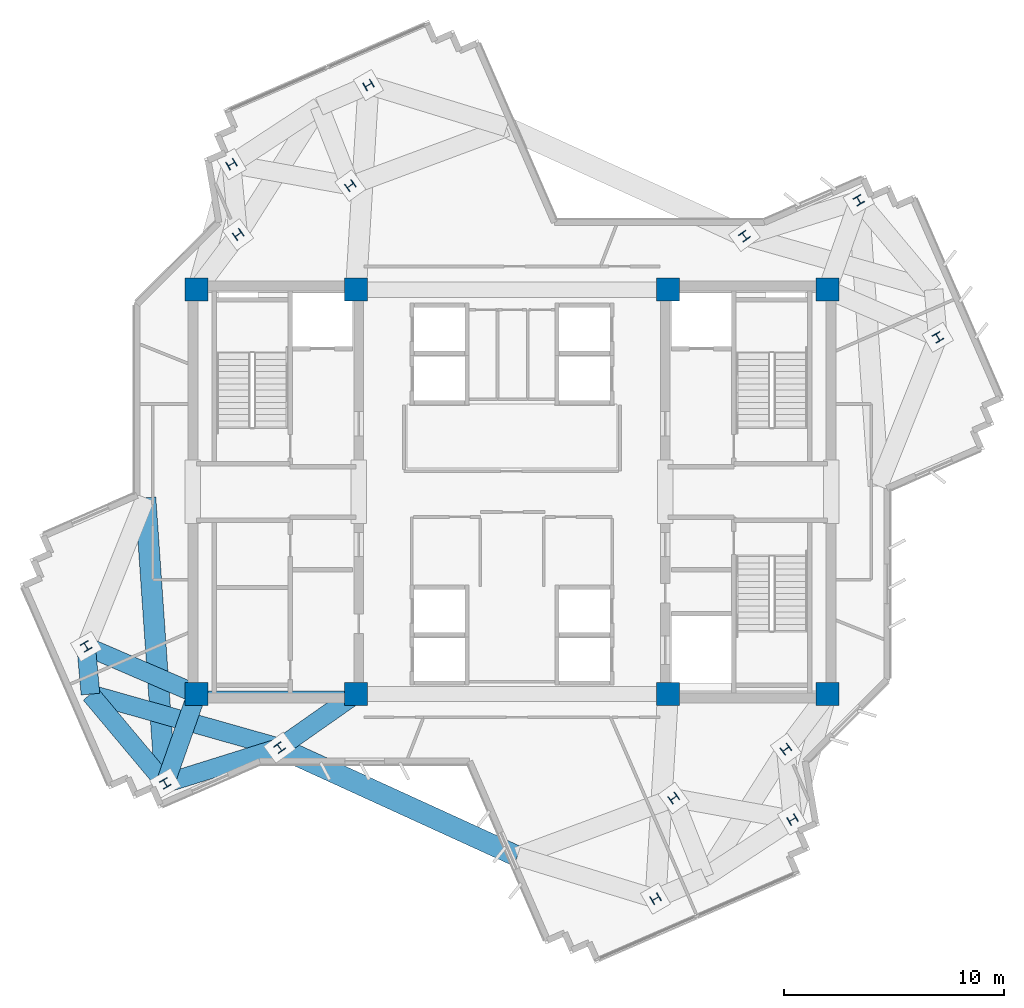
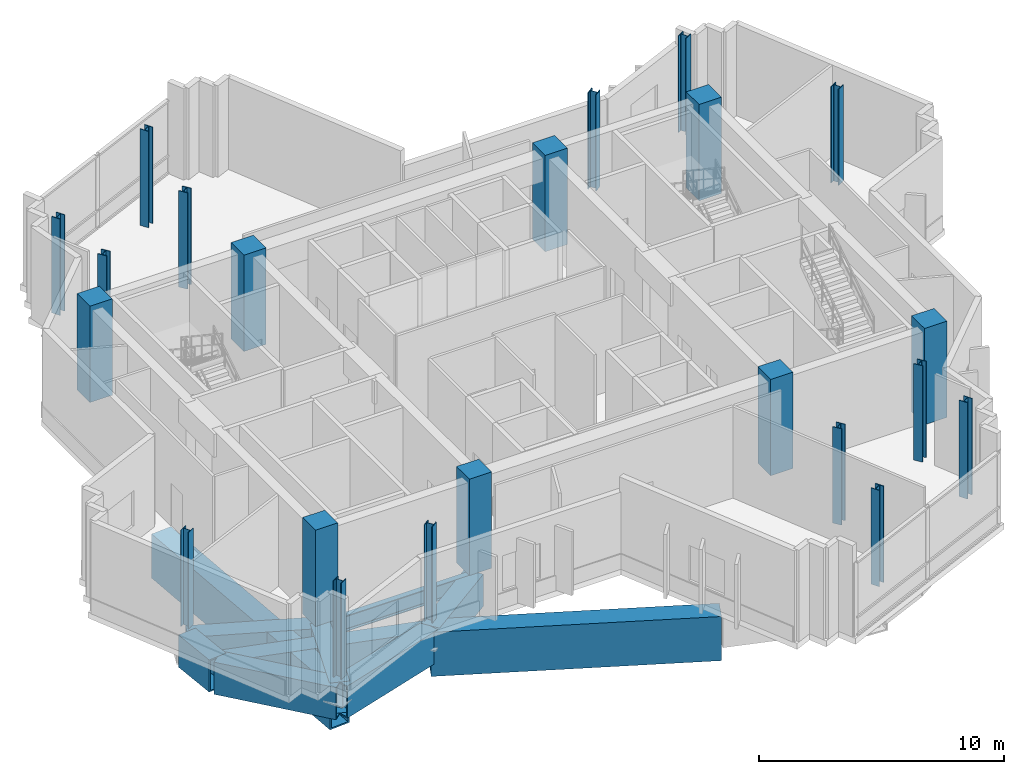
# One storey, part 1 of 11: 22 columns, 10 beams.
"""IFC4 building model written with IfcOpenShell, lengths in metres."""

from ifc_helpers import new_model, si_unit, direction, frame, origin, origin_2d, place, context, subcontext, project, spatial, rectangle, hollow_rectangle, i_section, extrude, source, transform, mapped, material, material_profile, profile_set, type_object, element, save


model = new_model("IFC4")

# Units and contexts
model_context = context("Model", 3, precision=1e-05, world=origin(), true_north=direction((0.0, 1.0)))
body_context = subcontext(model_context, "Body", "Model", "MODEL_VIEW")
ifc_project = project(units=[si_unit("LENGTHUNIT", "METRE"), si_unit("AREAUNIT", "SQUARE_METRE"), si_unit("VOLUMEUNIT", "CUBIC_METRE"), si_unit("PLANEANGLEUNIT", "RADIAN"), si_unit("MASSUNIT", "GRAM", prefix="KILO")], contexts=[model_context])

# Site, building, storey
site_placement = place(None, origin())
site = spatial("IfcSite", under=ifc_project, at=site_placement, CompositionType="ELEMENT")
building_placement = place(site_placement, origin())
building = spatial("IfcBuilding", under=site, at=building_placement, Name="Zahravan Cultural Tower", CompositionType="ELEMENT")
storey_placement = place(building_placement, frame((0.0, 0.0, 234.300048828125)))
storey = spatial("IfcBuildingStorey", under=building, at=storey_placement, Name="L55", CompositionType="ELEMENT", Elevation=234.300048828125)

# Columns
ifc_material_1 = material(Name="Concrete C50/60", Category="concrete")
ifc_material_profile_1 = material_profile(ifc_material_1, rectangle(XDim=1.050048828125, YDim=1.050048828125, at=origin_2d()), Name="RC1050X1050")
ifc_profile_set_1 = profile_set([ifc_material_profile_1], Name="Concrete C50/60")
column_type_1 = type_object("IfcColumnType", Name="COL-RC1050", PredefinedType="COLUMN", material=ifc_profile_set_1)
shared_shape_1 = source(origin(), body_context, "Body", "SweptSolid", [
    extrude(rectangle(XDim=1.050048828125, YDim=1.050048828125, at=origin_2d()), origin(), (0.0, 0.0, 1.0), 4.800048828125),
])
for number, where, z_axis, x_axis, name in (
    (1, (21.64990234375, 17.800048828125, 0.0), (0.0, 0.0, 1.0), (1.0, 0.0, 0.0), "L55 Column CC-W1"),
    (2, (28.89990234375, 17.800048828125, 0.0), (0.0, 0.0, 1.0), (1.0, 0.0, 0.0), "L55 Column CC-W2"),
    (3, (21.64990234375, 36.199951171875, 0.0), (0.0, 0.0, 1.0), (1.0, 0.0, 0.0), "L55 Column CC-W3"),
    (4, (28.89990234375, 36.199951171875, 0.0), (0.0, 0.0, 1.0), (1.0, 0.0, 0.0), "L55 Column CC-W4"),
    (5, (43.10009765625, 17.800048828125, 0.0), (0.0, 0.0, 1.0), (1.0, 0.0, 0.0), "L55 Column CC-E1"),
    (6, (50.35009765625, 17.800048828125, 0.0), (0.0, 0.0, 1.0), (1.0, 0.0, 0.0), "L55 Column CC-E2"),
    (7, (43.10009765625, 36.199951171875, 0.0), (0.0, 0.0, 1.0), (1.0, 0.0, 0.0), "L55 Column CC-E3"),
    (8, (50.35009765625, 36.199951171875, 0.0), (0.0, 0.0, 1.0), (1.0, 0.0, 0.0), "L55 Column CC-E4"),
):
    element("IfcColumn", number, at=place(storey_placement, frame(where, z_axis=z_axis, x_axis=x_axis)), inside=storey, type_object=column_type_1, Name=name, PredefinedType="COLUMN", context=body_context, shape_type="MappedRepresentation", body=[
        mapped(shared_shape_1, transform((0.0, 0.0, 0.0), x_axis=(1.0, 0.0, 0.0), y_axis=(0.0, 1.0, 0.0), z_axis=(0.0, 0.0, 1.0), scale=1.0)),
    ])
ifc_material_2 = material(Name="Steel ASTM A992 Grade 50", Category="steel")
ifc_material_profile_2 = material_profile(ifc_material_2, i_section(OverallWidth=0.39892578125, OverallDepth=0.385986328125, WebThickness=0.02099609375, FlangeThickness=0.033203125, FilletRadius=0.01806640625, at=origin_2d()), Name="W14X176")
ifc_profile_set_2 = profile_set([ifc_material_profile_2], Name="Steel ASTM A992 Grade 50")
column_type_2 = type_object("IfcColumnType", Name="COL-W14X176", PredefinedType="COLUMN", material=ifc_profile_set_2)
shared_shape_2 = source(origin(), body_context, "Body", "SweptSolid", [
    extrude(i_section(OverallWidth=0.39892578125, OverallDepth=0.385986328125, WebThickness=0.02099609375, FlangeThickness=0.033203125, FilletRadius=0.01806640625, at=origin_2d()), origin(), (0.0, 0.0, 1.0), 4.800048828125),
])
for number, where, z_axis, x_axis, name in (
    (9, (46.577880859375, 38.640625, 0.0), (0.0, 0.0, 1.0), (0.809016994375, 0.587785252292, 0.0), "L55 Column Z3C-E2"),
    (10, (28.642578125, 40.937255859375, 0.0), (0.0, 0.0, 1.0), (-0.587785252292, 0.809016994375, 0.0), "L55 Column Z3C-N1"),
    (11, (23.536376953125, 38.710693359375, 0.0), (0.0, 0.0, 1.0), (-0.587785252292, 0.809016994375, 0.0), "L55 Column Z3C-N2"),
    (12, (25.422119140625, 15.359375, 0.0), (0.0, 0.0, 1.0), (0.809016994375, 0.587785252292, 0.0), "L55 Column Z3C-W2"),
    (13, (43.357421875, 13.062744140625, 0.0), (0.0, 0.0, 1.0), (-0.587785252292, 0.809016994375, 0.0), "L55 Column Z3C-S1"),
    (14, (48.463623046875, 15.289306640625, 0.0), (0.0, 0.0, 1.0), (-0.587785252292, 0.809016994375, 0.0), "L55 Column Z3C-S2"),
    (15, (55.38037109375, 34.0322265625, 0.0), (0.0, 0.0, 1.0), (0.866025403784, 0.5, 0.0), "L55 Column Z3T-E1"),
    (16, (51.7802734375, 40.267578125, 0.0), (0.0, 0.0, 1.0), (0.866025403784, 0.5, 0.0), "L55 Column Z3T-E2"),
    (17, (29.4677734375, 45.514404296875, 0.0), (0.0, 0.0, 1.0), (-0.5, 0.866025403784, 0.0), "L55 Column Z3T-N1"),
    (18, (23.232421875, 41.914306640625, 0.0), (0.0, 0.0, 1.0), (-0.5, 0.866025403784, 0.0), "L55 Column Z3T-N2"),
    (19, (16.61962890625, 19.9677734375, 0.0), (0.0, 0.0, 1.0), (0.866025403784, 0.5, 0.0), "L55 Column Z3T-W1"),
    (20, (20.2197265625, 13.732421875, 0.0), (0.0, 0.0, 1.0), (0.866025403784, 0.5, 0.0), "L55 Column Z3T-W2"),
    (21, (42.5322265625, 8.485595703125, 0.0), (0.0, 0.0, 1.0), (-0.5, 0.866025403784, 0.0), "L55 Column Z3T-S1"),
    (22, (48.767578125, 12.085693359375, 0.0), (0.0, 0.0, 1.0), (-0.5, 0.866025403784, 0.0), "L55 Column Z3T-S2"),
):
    element("IfcColumn", number, at=place(storey_placement, frame(where, z_axis=z_axis, x_axis=x_axis)), inside=storey, type_object=column_type_2, Name=name, PredefinedType="COLUMN", context=body_context, shape_type="MappedRepresentation", body=[
        mapped(shared_shape_2, transform((0.0, 0.0, 0.0), x_axis=(1.0, 0.0, 0.0), y_axis=(0.0, 1.0, 0.0), z_axis=(0.0, 0.0, 1.0), scale=1.0)),
    ])

# Beams
ifc_material_profile_3 = material_profile(ifc_material_2, i_section(OverallWidth=0.26611328125, OverallDepth=0.780029296875, WebThickness=0.0166015625, FlangeThickness=0.030029296875, FilletRadius=0.01904296875, at=origin_2d()), Name="W30X148")
ifc_profile_set_3 = profile_set([ifc_material_profile_3], Name="Steel ASTM A992 Grade 50")
beam_type_1 = type_object("IfcBeamType", Name="BM-G-W30X148", PredefinedType="BEAM", material=ifc_profile_set_3)
shared_shape_3 = source(origin(), body_context, "Body", "SweptSolid", [
    extrude(i_section(OverallWidth=0.26611328125, OverallDepth=0.780029296875, WebThickness=0.0166015625, FlangeThickness=0.030029296875, FilletRadius=0.01904296875, at=origin_2d()), origin(), (0.0, 0.0, 1.0), 7.25),
])
beam_1_placement = place(storey_placement, frame((21.64990234375, 17.800048828125, -0.68994140625), z_axis=(1.0, 0.0, 0.0), x_axis=(0.0, 1.0, 0.0)))
element("IfcBeam", 23, at=beam_1_placement, inside=storey, type_object=beam_type_1, Name="L55 Beam BG-L55-01", PredefinedType="BEAM", context=body_context, shape_type="MappedRepresentation", body=[
    mapped(shared_shape_3, transform((0.0, 0.0, 0.0), x_axis=(1.0, 0.0, 0.0), y_axis=(0.0, 1.0, 0.0), z_axis=(0.0, 0.0, 1.0), scale=1.0)),
])
ifc_material_3 = material(Name="Steel ASTM A572 Grade 50", Category="steel")
ifc_material_profile_4 = material_profile(ifc_material_3, hollow_rectangle(XDim=0.85009765625, YDim=1.60009765625, WallThickness=0.06005859375, at=origin_2d()), Name="BOX1600X850X60")
ifc_profile_set_4 = profile_set([ifc_material_profile_4], Name="Steel ASTM A572 Grade 50")
beam_type_2 = type_object("IfcBeamType", Name="BM-TR-BOX1600", PredefinedType="BEAM", material=ifc_profile_set_4)
shared_shape_4 = source(origin(), body_context, "Body", "SweptSolid", [
    extrude(hollow_rectangle(XDim=0.85009765625, YDim=1.60009765625, WallThickness=0.06005859375, at=origin_2d()), origin(), (0.0, 0.0, 1.0), 5.4775390625),
])
beam_2_placement = place(storey_placement, frame((21.64990234375, 17.800048828125, -1.10009765625), z_axis=(-0.91835704552, 0.395752873577, 0.0), x_axis=(-0.395752873577, -0.91835704552, 0.0)))
element("IfcBeam", 24, at=beam_2_placement, inside=storey, type_object=beam_type_2, Name="L55 Beam TB-L55-07", PredefinedType="BEAM", context=body_context, shape_type="MappedRepresentation", body=[
    mapped(shared_shape_4, transform((0.0, 0.0, 0.0), x_axis=(1.0, 0.0, 0.0), y_axis=(0.0, 1.0, 0.0), z_axis=(0.0, 0.0, 1.0), scale=1.0)),
])
shared_shape_5 = source(origin(), body_context, "Body", "SweptSolid", [
    extrude(hollow_rectangle(XDim=0.85009765625, YDim=1.60009765625, WallThickness=0.06005859375, at=origin_2d()), origin(), (0.0, 0.0, 1.0), 2.1826171875),
])
beam_3_placement = place(storey_placement, frame((16.61962890625, 19.9677734375, -1.10009765625), z_axis=(0.089597754325, -0.995978033101, 0.0), x_axis=(0.995978033101, 0.089597754325, 0.0)))
element("IfcBeam", 25, at=beam_3_placement, inside=storey, type_object=beam_type_2, Name="L55 Beam TB-L55-08", PredefinedType="BEAM", context=body_context, shape_type="MappedRepresentation", body=[
    mapped(shared_shape_5, transform((0.0, 0.0, 0.0), x_axis=(1.0, 0.0, 0.0), y_axis=(0.0, 1.0, 0.0), z_axis=(0.0, 0.0, 1.0), scale=1.0)),
])
shared_shape_6 = source(origin(), body_context, "Body", "SweptSolid", [
    extrude(hollow_rectangle(XDim=0.85009765625, YDim=1.60009765625, WallThickness=0.06005859375, at=origin_2d()), origin(), (0.0, 0.0, 1.0), 4.311767578125),
])
beam_4_placement = place(storey_placement, frame((21.64990234375, 17.800048828125, -1.10009765625), z_axis=(-0.331694400302, -0.94338689031, 0.0), x_axis=(0.94338689031, -0.331694400302, 0.0)))
element("IfcBeam", 26, at=beam_4_placement, inside=storey, type_object=beam_type_2, Name="L55 Beam TB-L55-10", PredefinedType="BEAM", context=body_context, shape_type="MappedRepresentation", body=[
    mapped(shared_shape_6, transform((0.0, 0.0, 0.0), x_axis=(1.0, 0.0, 0.0), y_axis=(0.0, 1.0, 0.0), z_axis=(0.0, 0.0, 1.0), scale=1.0)),
])
shared_shape_7 = source(origin(), body_context, "Body", "SweptSolid", [
    extrude(hollow_rectangle(XDim=0.85009765625, YDim=1.60009765625, WallThickness=0.06005859375, at=origin_2d()), origin(), (0.0, 0.0, 1.0), 5.2998046875),
])
beam_5_placement = place(storey_placement, frame((20.2197265625, 13.732421875, -1.10009765625), z_axis=(-0.642401996297, 0.766367845851, 0.0), x_axis=(-0.766367845851, -0.642401996297, 0.0)))
element("IfcBeam", 27, at=beam_5_placement, inside=storey, type_object=beam_type_2, Name="L55 Beam TB-L55-11", PredefinedType="BEAM", context=body_context, shape_type="MappedRepresentation", body=[
    mapped(shared_shape_7, transform((0.0, 0.0, 0.0), x_axis=(1.0, 0.0, 0.0), y_axis=(0.0, 1.0, 0.0), z_axis=(0.0, 0.0, 1.0), scale=1.0)),
])
ifc_material_profile_5 = material_profile(ifc_material_3, hollow_rectangle(XDim=0.949951171875, YDim=2.199951171875, WallThickness=0.070068359375, at=origin_2d()), Name="BOX2200X950X70")
ifc_profile_set_5 = profile_set([ifc_material_profile_5], Name="Steel ASTM A572 Grade 50")
beam_type_3 = type_object("IfcBeamType", Name="BM-TR-BOX2200", PredefinedType="BEAM", material=ifc_profile_set_5)
shared_shape_8 = source(origin(), body_context, "Body", "SweptSolid", [
    extrude(hollow_rectangle(XDim=0.949951171875, YDim=2.199951171875, WallThickness=0.070068359375, at=origin_2d()), origin(), (0.0, 0.0, 1.0), 13.028076171875),
])
beam_6_placement = place(storey_placement, frame((20.2197265625, 13.732421875, -1.400146484375), z_axis=(-0.069393123145, 0.997589391714, 0.0), x_axis=(-0.997589391714, -0.069393123145, 0.0)))
element("IfcBeam", 28, at=beam_6_placement, inside=storey, type_object=beam_type_3, Name="L55 Beam TB-L55-12", PredefinedType="BEAM", context=body_context, shape_type="MappedRepresentation", body=[
    mapped(shared_shape_8, transform((0.0, 0.0, 0.0), x_axis=(1.0, 0.0, 0.0), y_axis=(0.0, 1.0, 0.0), z_axis=(0.0, 0.0, 1.0), scale=1.0)),
])
shared_shape_9 = source(origin(), body_context, "Body", "SweptSolid", [
    extrude(hollow_rectangle(XDim=0.85009765625, YDim=1.60009765625, WallThickness=0.06005859375, at=origin_2d()), origin(), (0.0, 0.0, 1.0), 4.248779296875),
])
beam_7_placement = place(storey_placement, frame((28.89990234375, 17.800048828125, -1.10009765625), z_axis=(-0.81854294596, -0.574445337365, 0.0), x_axis=(0.574445337365, -0.81854294596, 0.0)))
element("IfcBeam", 29, at=beam_7_placement, inside=storey, type_object=beam_type_2, Name="L55 Beam TB-L55-13", PredefinedType="BEAM", context=body_context, shape_type="MappedRepresentation", body=[
    mapped(shared_shape_9, transform((0.0, 0.0, 0.0), x_axis=(1.0, 0.0, 0.0), y_axis=(0.0, 1.0, 0.0), z_axis=(0.0, 0.0, 1.0), scale=1.0)),
])
shared_shape_10 = source(origin(), body_context, "Body", "SweptSolid", [
    extrude(hollow_rectangle(XDim=0.85009765625, YDim=1.60009765625, WallThickness=0.06005859375, at=origin_2d()), origin(), (0.0, 0.0, 1.0), 8.944580078125),
])
beam_8_placement = place(storey_placement, frame((25.422119140625, 15.359375, -1.10009765625), z_axis=(-0.962245709121, 0.272182283183, 0.0), x_axis=(-0.272182283183, -0.962245709121, 0.0)))
element("IfcBeam", 30, at=beam_8_placement, inside=storey, type_object=beam_type_2, Name="L55 Beam TB-L55-14", PredefinedType="BEAM", context=body_context, shape_type="MappedRepresentation", body=[
    mapped(shared_shape_10, transform((0.0, 0.0, 0.0), x_axis=(1.0, 0.0, 0.0), y_axis=(0.0, 1.0, 0.0), z_axis=(0.0, 0.0, 1.0), scale=1.0)),
])
shared_shape_11 = source(origin(), body_context, "Body", "SweptSolid", [
    extrude(hollow_rectangle(XDim=0.949951171875, YDim=2.199951171875, WallThickness=0.070068359375, at=origin_2d()), origin(), (0.0, 0.0, 1.0), 11.900146484375),
])
beam_9_placement = place(storey_placement, frame((25.422119140625, 15.359375, -1.400146484375), z_axis=(0.909498189657, -0.415707881824, 0.0), x_axis=(0.415707881824, 0.909498189657, 0.0)))
element("IfcBeam", 31, at=beam_9_placement, inside=storey, type_object=beam_type_3, Name="L55 Beam TB-L55-15", PredefinedType="BEAM", context=body_context, shape_type="MappedRepresentation", body=[
    mapped(shared_shape_11, transform((0.0, 0.0, 0.0), x_axis=(1.0, 0.0, 0.0), y_axis=(0.0, 1.0, 0.0), z_axis=(0.0, 0.0, 1.0), scale=1.0)),
])
shared_shape_12 = source(origin(), body_context, "Body", "SweptSolid", [
    extrude(hollow_rectangle(XDim=0.85009765625, YDim=1.60009765625, WallThickness=0.06005859375, at=origin_2d()), origin(), (0.0, 0.0, 1.0), 5.450927734375),
])
beam_10_placement = place(storey_placement, frame((20.2197265625, 13.732421875, -1.10009765625), z_axis=(0.954416996605, 0.298476459025, 0.0), x_axis=(-0.298476459025, 0.954416996605, 0.0)))
element("IfcBeam", 32, at=beam_10_placement, inside=storey, type_object=beam_type_2, Name="L55 Beam TB-L55-47", PredefinedType="BEAM", context=body_context, shape_type="MappedRepresentation", body=[
    mapped(shared_shape_12, transform((0.0, 0.0, 0.0), x_axis=(1.0, 0.0, 0.0), y_axis=(0.0, 1.0, 0.0), z_axis=(0.0, 0.0, 1.0), scale=1.0)),
])

save(model, "model.ifc")
